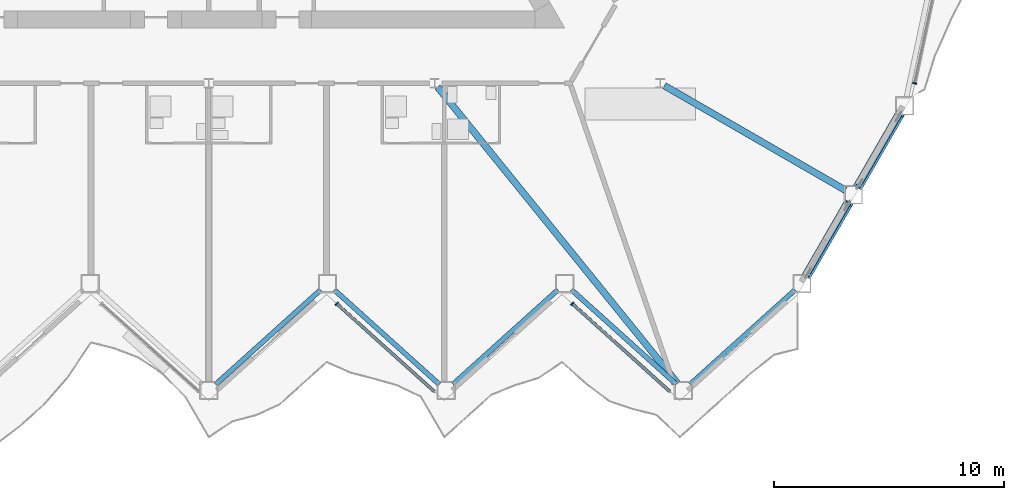
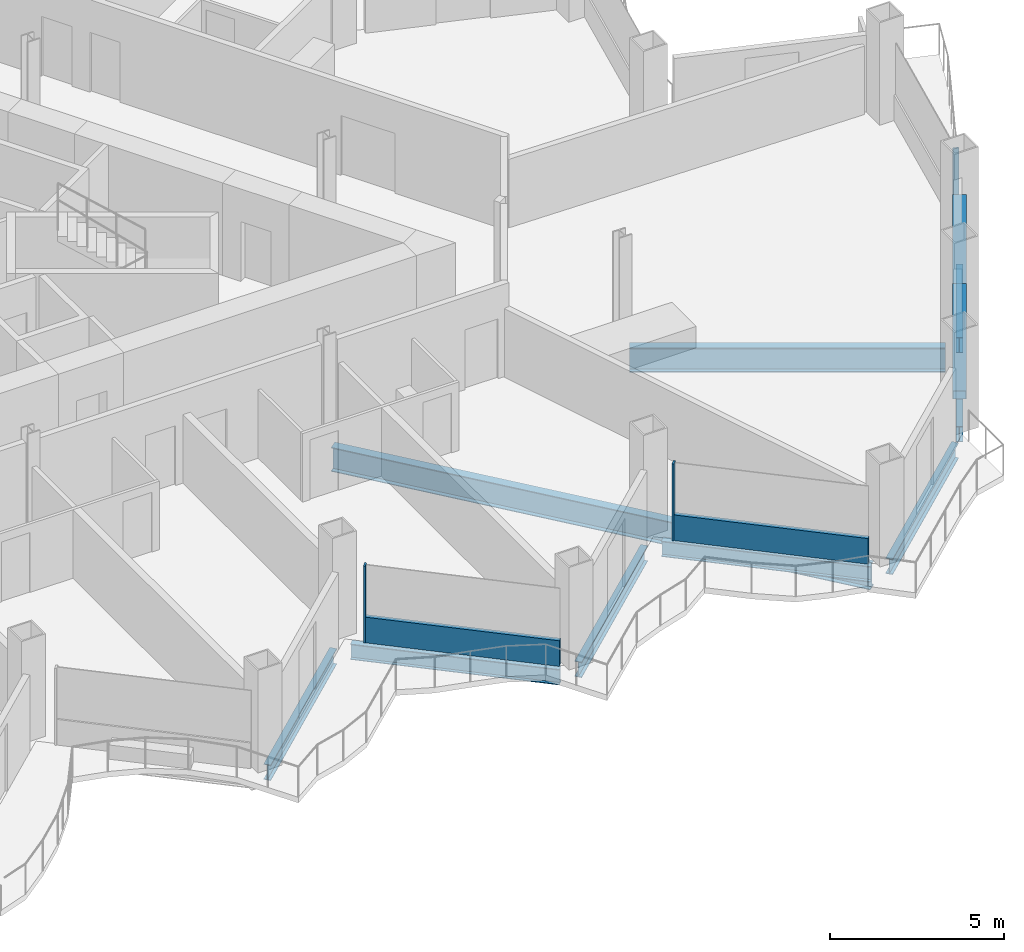
# One storey, part 5 of 23: 9 beams, 7 members, 3 elements without a shape of their own.
"""IFC4 building model written with IfcOpenShell, lengths in metres."""

from ifc_helpers import new_model, si_unit, direction, frame, origin, origin_2d, place, context, subcontext, project, spatial, rectangle, hollow_rectangle, i_section, extrude, material, layer, layer_set, material_profile, profile_set, type_object, element, aggregate, save


model = new_model("IFC4")

# Units and contexts
model_context = context("Model", 3, precision=1e-05, world=origin(), true_north=direction((0.0, 1.0)))
body_context = subcontext(model_context, "Body", "Model", "MODEL_VIEW")
ifc_project = project(units=[si_unit("LENGTHUNIT", "METRE"), si_unit("AREAUNIT", "SQUARE_METRE"), si_unit("VOLUMEUNIT", "CUBIC_METRE"), si_unit("PLANEANGLEUNIT", "RADIAN"), si_unit("MASSUNIT", "GRAM", prefix="KILO")], contexts=[model_context])

# Site, building, storey
site_placement = place(None, origin())
site = spatial("IfcSite", under=ifc_project, at=site_placement, CompositionType="ELEMENT")
building_placement = place(site_placement, origin())
building = spatial("IfcBuilding", under=site, at=building_placement, Name="Cormorant Prow Tower", CompositionType="ELEMENT")
storey_placement = place(building_placement, frame((0.0, 0.0, 180.0)))
storey = spatial("IfcBuildingStorey", under=building, at=storey_placement, Name="L38", CompositionType="ELEMENT", Elevation=180.0)

# Members
ifc_material_1 = material(Name="Structural steel ASTM A500 Gr C", Category="steel")
ifc_material_profile_1 = material_profile(ifc_material_1, hollow_rectangle(XDim=0.406494140625, YDim=0.406494140625, WallThickness=0.01171875, at=origin_2d()), Name="HSS16x16x1/2")
ifc_profile_set_1 = profile_set([ifc_material_profile_1], Name="Structural steel ASTM A500 Gr C")
member_type_1 = type_object("IfcMemberType", Name="Chamfer brace HSS16x16x1/2", PredefinedType="BRACE", material=ifc_profile_set_1)
member_1_placement = place(storey_placement, frame((26.0322265625, -19.7099609375, 0.739990234375), z_axis=(0.47400804529, 0.820968949664, 0.318318011883), x_axis=(-0.866015628144, 0.500016931523, 0.0)))
element("IfcMember", 1, at=member_1_placement, inside=storey, type_object=member_type_1, Name="Chamfer brace BR2 at ESE00 L38", PredefinedType="BRACE", context=body_context, shape_type="SweptSolid", body=[
    extrude(hollow_rectangle(XDim=0.406494140625, YDim=0.406494140625, WallThickness=0.01171875, at=origin_2d()), origin(), (0.0, 0.0, 1.0), 3.835693359375),
])
member_2_placement = place(storey_placement, frame((28.267333984375, -15.838623046875, 0.739990234375), z_axis=(0.473983276796, 0.820989698857, 0.31830137871), x_axis=(-0.866032413668, 0.499987858329, 0.0)))
element("IfcMember", 2, at=member_2_placement, inside=storey, type_object=member_type_1, Name="Chamfer brace BR2 at ESE01 L38", PredefinedType="BRACE", context=body_context, shape_type="SweptSolid", body=[
    extrude(hollow_rectangle(XDim=0.406494140625, YDim=0.406494140625, WallThickness=0.01171875, at=origin_2d()), origin(), (0.0, 0.0, 1.0), 3.8359375),
])

# Curtain wall, member
ifc_material_2 = material(Name="Aluminium 6063-T6", Category="aluminium")
ifc_layer = layer(ifc_material_2, 0.179931640625)
ifc_layer_set = layer_set([ifc_layer], Name="Aluminium 6063-T6")
curtain_wall_type = type_object("IfcCurtainWallType", Name="Hotel unitised curtain wall 180", PredefinedType="NOTDEFINED", material=ifc_layer_set)
curtain_wall_1_placement = place(storey_placement, origin())
curtain_wall_1 = element("IfcCurtainWall", 3, at=curtain_wall_1_placement, inside=storey, type_object=curtain_wall_type, Name="Hotel curtain wall S06", PredefinedType="NOTDEFINED")
ifc_material_3 = material(Name="Aluminium 6063-T6", Category="aluminium")
ifc_material_profile_2 = material_profile(ifc_material_3, rectangle(XDim=0.179931640625, YDim=0.06005859375, at=origin_2d()), Name="Hotel mullion 60x180")
ifc_profile_set_2 = profile_set([ifc_material_profile_2], Name="Aluminium 6063-T6")
member_type_2 = type_object("IfcMemberType", Name="Hotel mullion 60x180", PredefinedType="MULLION", material=ifc_profile_set_2)
member_3_placement = place(storey_placement, frame((5.571533203125, -20.94189453125, 0.0), z_axis=(0.0, 0.0, 1.0), x_axis=(0.669130655957, 0.743144780819, 0.0)))
member_3 = element("IfcMember", 4, at=member_3_placement, type_object=member_type_2, Name="Hotel mullion S06", PredefinedType="MULLION", context=body_context, shape_type="SweptSolid", body=[
    extrude(rectangle(XDim=0.179931640625, YDim=0.06005859375, at=origin_2d()), origin(), (0.0, 0.0, 1.0), 2.700927734375),
])

curtain_wall_2_placement = place(storey_placement, origin())
curtain_wall_2 = element("IfcCurtainWall", 5, at=curtain_wall_2_placement, inside=storey, type_object=curtain_wall_type, Name="Hotel curtain wall S08", PredefinedType="NOTDEFINED")
member_4_placement = place(storey_placement, frame((15.82568359375, -20.94189453125, 0.0), z_axis=(0.0, 0.0, 1.0), x_axis=(0.669130583881, 0.743144845716, 0.0)))
member_4 = element("IfcMember", 6, at=member_4_placement, type_object=member_type_2, Name="Hotel mullion S08", PredefinedType="MULLION", context=body_context, shape_type="SweptSolid", body=[
    extrude(rectangle(XDim=0.179931640625, YDim=0.06005859375, at=origin_2d()), origin(), (0.0, 0.0, 1.0), 2.700927734375),
])

curtain_wall_3_placement = place(storey_placement, origin())
curtain_wall_3 = element("IfcCurtainWall", 7, at=curtain_wall_3_placement, inside=storey, type_object=curtain_wall_type, Name="Hotel curtain wall ENE00", PredefinedType="NOTDEFINED")
member_5_placement = place(storey_placement, frame((30.731689453125, -11.34521484375, 0.0), z_axis=(0.0, 0.0, 1.0), x_axis=(-0.978147591622, 0.207911733685, 0.0)))
member_5 = element("IfcMember", 8, at=member_5_placement, type_object=member_type_2, Name="Hotel mullion ENE00", PredefinedType="MULLION", context=body_context, shape_type="SweptSolid", body=[
    extrude(rectangle(XDim=0.179931640625, YDim=0.06005859375, at=origin_2d()), origin(), (0.0, 0.0, 1.0), 2.700927734375),
])
aggregate(curtain_wall_3, [member_5])

# Member
ifc_material_4 = material(Name="Terracotta", Category="masonry")
ifc_material_profile_3 = material_profile(ifc_material_4, rectangle(XDim=0.139892578125, YDim=0.89990234375, at=origin_2d()), Name="Hotel terracotta spandrel rail 140x900")
ifc_profile_set_3 = profile_set([ifc_material_profile_3], Name="Terracotta")
member_type_3 = type_object("IfcMemberType", Name="Hotel terracotta spandrel rail 140x900", PredefinedType="USERDEFINED", material=ifc_profile_set_3)
member_6_placement = place(storey_placement, frame((5.59375, -20.9619140625, 0.449951171875), z_axis=(0.74314512794, -0.66913027044, 0.0), x_axis=(0.66913027044, 0.74314512794, 0.0)))
member_6 = element("IfcMember", 9, at=member_6_placement, type_object=member_type_3, Name="Hotel spandrel rail S06", ObjectType="TRANSOM", PredefinedType="USERDEFINED", context=body_context, shape_type="SweptSolid", body=[
    extrude(rectangle(XDim=0.139892578125, YDim=0.89990234375, at=origin_2d()), origin(), (0.0, 0.0, 1.0), 5.703125),
])

aggregate(curtain_wall_1, [member_3, member_6])

member_7_placement = place(storey_placement, frame((15.84814453125, -20.9619140625, 0.449951171875), z_axis=(0.74314512794, -0.66913027044, 0.0), x_axis=(0.66913027044, 0.74314512794, 0.0)))
member_7 = element("IfcMember", 10, at=member_7_placement, type_object=member_type_3, Name="Hotel spandrel rail S08", ObjectType="TRANSOM", PredefinedType="USERDEFINED", context=body_context, shape_type="SweptSolid", body=[
    extrude(rectangle(XDim=0.139892578125, YDim=0.89990234375, at=origin_2d()), origin(), (0.0, 0.0, 1.0), 5.703125),
])

aggregate(curtain_wall_2, [member_4, member_7])

# Beams
ifc_material_5 = material(Name="Structural steel ASTM A992 Gr 50", Category="steel")
ifc_material_profile_4 = material_profile(ifc_material_5, i_section(OverallWidth=0.29296875, OverallDepth=0.845703125, WebThickness=0.015380859375, FlangeThickness=0.0244140625, at=origin_2d()), Name="W33x141")
ifc_profile_set_4 = profile_set([ifc_material_profile_4], Name="Structural steel ASTM A992 Gr 50")
beam_type_1 = type_object("IfcBeamType", Name="Radial floor beam W33x141", PredefinedType="BEAM", material=ifc_profile_set_4)
beam_1_placement = place(storey_placement, frame((9.95654296875, -11.50732421875, -0.77294921875), z_axis=(0.629385162657, -0.777093505974, 0.0), x_axis=(0.777093505974, 0.629385162657, 0.0)))
element("IfcBeam", 11, at=beam_1_placement, inside=storey, type_object=beam_type_1, Name="Radial floor beam FB2 8 L38", PredefinedType="BEAM", context=body_context, shape_type="SweptSolid", body=[
    extrude(i_section(OverallWidth=0.29296875, OverallDepth=0.845703125, WebThickness=0.015380859375, FlangeThickness=0.0244140625, at=origin_2d()), origin(), (0.0, 0.0, 1.0), 16.6044921875),
])
beam_2_placement = place(storey_placement, frame((19.833251953125, -11.45068359375, -0.77294921875), z_axis=(0.866023373109, -0.500003517217, 0.0), x_axis=(0.500003517217, 0.866023373109, 0.0)))
element("IfcBeam", 12, at=beam_2_placement, inside=storey, type_object=beam_type_1, Name="Radial floor beam FB2 9 L38", PredefinedType="BEAM", context=body_context, shape_type="SweptSolid", body=[
    extrude(i_section(OverallWidth=0.29296875, OverallDepth=0.845703125, WebThickness=0.015380859375, FlangeThickness=0.0244140625, at=origin_2d()), origin(), (0.0, 0.0, 1.0), 9.09814453125),
])
ifc_material_6 = material(Name="Structural steel ASTM A992 Gr 50", Category="steel")
ifc_material_profile_5 = material_profile(ifc_material_6, i_section(OverallWidth=0.2138671875, OverallDepth=0.549072265625, WebThickness=0.0146484375, FlangeThickness=0.023681640625, at=origin_2d()), Name="W21x93")
ifc_profile_set_5 = profile_set([ifc_material_profile_5], Name="Structural steel ASTM A992 Gr 50")
beam_type_2 = type_object("IfcBeamType", Name="Spandrel beam W21x93", PredefinedType="SPANDREL", material=ifc_profile_set_5)
beam_3_placement = place(storey_placement, frame((0.29736328125, -24.453857421875, -0.62451171875), z_axis=(0.743138178716, 0.669137988261, 0.0), x_axis=(-0.669137988261, 0.743138178716, 0.0)))
element("IfcBeam", 13, at=beam_3_placement, inside=storey, type_object=beam_type_2, Name="Spandrel beam SB2 S05-S06 L38", PredefinedType="SPANDREL", context=body_context, shape_type="SweptSolid", body=[
    extrude(i_section(OverallWidth=0.2138671875, OverallDepth=0.549072265625, WebThickness=0.0146484375, FlangeThickness=0.023681640625, at=origin_2d()), origin(), (0.0, 0.0, 1.0), 6.149658203125),
])
beam_4_placement = place(storey_placement, frame((5.4619140625, -20.3388671875, -0.62451171875), z_axis=(0.743155953285, -0.669118247469, 0.0), x_axis=(0.669118247469, 0.743155953285, 0.0)))
element("IfcBeam", 14, at=beam_4_placement, inside=storey, type_object=beam_type_2, Name="Spandrel beam SB2 S06-S07 L38", PredefinedType="SPANDREL", context=body_context, shape_type="SweptSolid", body=[
    extrude(i_section(OverallWidth=0.2138671875, OverallDepth=0.549072265625, WebThickness=0.0146484375, FlangeThickness=0.023681640625, at=origin_2d()), origin(), (0.0, 0.0, 1.0), 6.14990234375),
])
for number, where, z_axis, x_axis, name in (
    (15, (10.626708984375, -24.453857421875, -0.62451171875), (0.743138178716, 0.669137988261, 0.0), (-0.669137988261, 0.743138178716, 0.0), "Spandrel beam SB2 S07-S08 L38"),
    (16, (15.79150390625, -20.3388671875, -0.62451171875), (0.743138178716, -0.669137988261, 0.0), (0.669137988261, 0.743138178716, 0.0), "Spandrel beam SB2 S08-S09 L38"),
):
    element("IfcBeam", number, at=place(storey_placement, frame(where, z_axis=z_axis, x_axis=x_axis)), inside=storey, type_object=beam_type_2, Name=name, PredefinedType="SPANDREL", context=body_context, shape_type="SweptSolid", body=[
        extrude(i_section(OverallWidth=0.2138671875, OverallDepth=0.549072265625, WebThickness=0.0146484375, FlangeThickness=0.023681640625, at=origin_2d()), origin(), (0.0, 0.0, 1.0), 6.149658203125),
    ])
beam_5_placement = place(storey_placement, frame((20.9560546875, -24.453857421875, -0.62451171875), z_axis=(0.743155953285, 0.669118247469, 0.0), x_axis=(-0.669118247469, 0.743155953285, 0.0)))
element("IfcBeam", 17, at=beam_5_placement, inside=storey, type_object=beam_type_2, Name="Spandrel beam SB2 S09-ESE00 L38", PredefinedType="SPANDREL", context=body_context, shape_type="SweptSolid", body=[
    extrude(i_section(OverallWidth=0.2138671875, OverallDepth=0.549072265625, WebThickness=0.0146484375, FlangeThickness=0.023681640625, at=origin_2d()), origin(), (0.0, 0.0, 1.0), 6.14990234375),
])
for number, where, z_axis, x_axis, name in (
    (18, (26.023681640625, -19.724853515625, -0.62451171875), (0.499994986164, 0.866028298505, 0.0), (-0.866028298505, 0.499994986164, 0.0), "Spandrel beam SB2 ESE00-ESE01 L38"),
    (19, (28.2587890625, -15.853271484375, -0.62451171875), (0.499994986164, 0.866028298505, 0.0), (-0.866028298505, 0.499994986164, 0.0), "Spandrel beam SB2 ESE01-ENE00 L38"),
):
    element("IfcBeam", number, at=place(storey_placement, frame(where, z_axis=z_axis, x_axis=x_axis)), inside=storey, type_object=beam_type_2, Name=name, PredefinedType="SPANDREL", context=body_context, shape_type="SweptSolid", body=[
        extrude(i_section(OverallWidth=0.2138671875, OverallDepth=0.549072265625, WebThickness=0.0146484375, FlangeThickness=0.023681640625, at=origin_2d()), origin(), (0.0, 0.0, 1.0), 3.67041015625),
    ])

save(model, "model.ifc")
